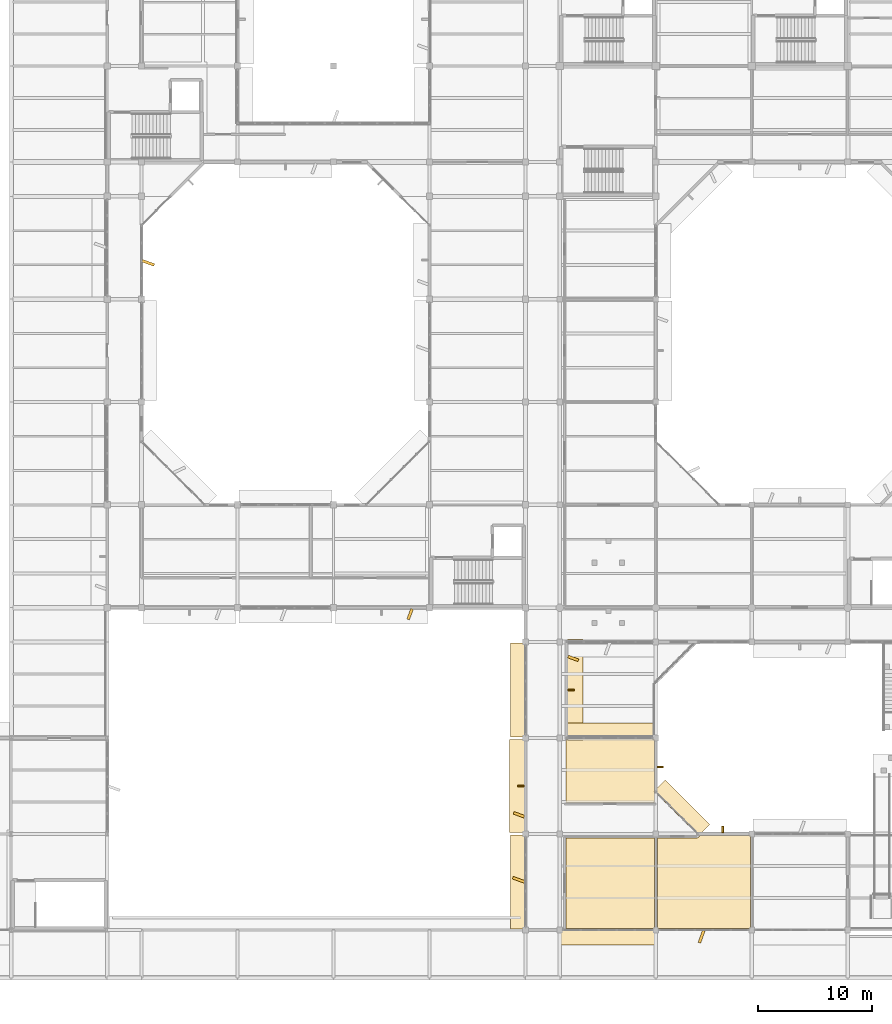
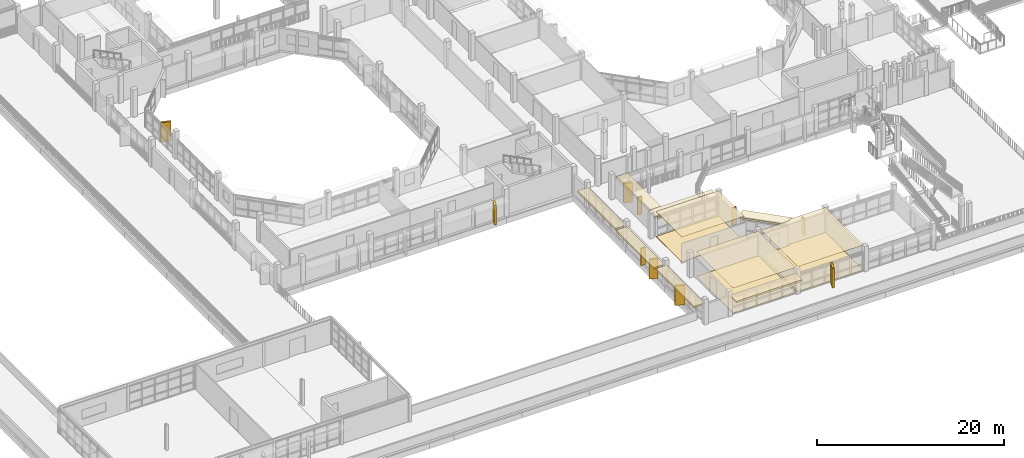
# One storey, part 69 of 92: 19 coverings, 4 shading devices.
"""IFC4 building model written with IfcOpenShell, lengths in metres."""

from ifc_helpers import new_model, si_unit, direction, frame, origin, origin_2d, place, context, subcontext, project, spatial, polyline, rectangle, outline, extrude, material, layer, layer_set, type_object, element, save


model = new_model("IFC4")

# Units and contexts
model_context = context("Model", 3, precision=1e-05, world=origin(), true_north=direction((0.0, 1.0)))
body_context = subcontext(model_context, "Body", "Model", "MODEL_VIEW")
ifc_project = project(units=[si_unit("LENGTHUNIT", "METRE"), si_unit("AREAUNIT", "SQUARE_METRE"), si_unit("VOLUMEUNIT", "CUBIC_METRE"), si_unit("PLANEANGLEUNIT", "RADIAN"), si_unit("MASSUNIT", "GRAM", prefix="KILO")], contexts=[model_context])

# Site, building, storey
site_placement = place(None, origin())
site = spatial("IfcSite", under=ifc_project, at=site_placement, CompositionType="ELEMENT")
building_placement = place(site_placement, origin())
building = spatial("IfcBuilding", under=site, at=building_placement, Name="Vanh Quang Courtyard School", CompositionType="ELEMENT")
storey_placement = place(building_placement, frame((0.0, 0.0, 7.800048828125)))
storey = spatial("IfcBuildingStorey", under=building, at=storey_placement, Name="L02", CompositionType="ELEMENT", Elevation=7.800048828125)

# Coverings
ifc_material_1 = material(Name="Perforated mineral-fibre acoustic ceiling board")
ifc_layer_1 = layer(ifc_material_1, 0.02490234375)
ifc_layer_set_1 = layer_set([ifc_layer_1], Name="Perforated mineral-fibre acoustic ceiling board")
covering_type_1 = type_object("IfcCoveringType", Name="COV-CEIL-ACOUSTIC", PredefinedType="CEILING", material=ifc_layer_set_1)
covering_1_placement = place(storey_placement, frame((0.0, 0.0, 3.2548828125)))
element("IfcCovering", 1, at=covering_1_placement, inside=storey, type_object=covering_type_1, Name="Covering CV-CL1 (L02)", PredefinedType="CEILING", context=body_context, shape_type="SweptSolid", body=[
    extrude(outline(polyline([(77.9599609375, 4.330078125), (77.958984375, 4.330078125), (77.9580078125, 4.330078125), (77.95703125, 4.330322265625), (77.956298828125, 4.330810546875), (77.955322265625, 4.331298828125), (77.954345703125, 4.331787109375), (77.95361328125, 4.332275390625), (77.952880859375, 4.3330078125), (77.952392578125, 4.333740234375), (77.95166015625, 4.33447265625), (77.951171875, 4.335205078125), (77.95068359375, 4.336181640625), (77.950439453125, 4.337158203125), (77.9501953125, 4.337890625), (77.949951171875, 4.339111328125), (77.949951171875, 4.340087890625), (77.949951171875, 12.239990234375), (77.949951171875, 12.240966796875), (77.9501953125, 12.241943359375), (77.950439453125, 12.242919921875), (77.95068359375, 12.243896484375), (77.951171875, 12.24462890625), (77.95166015625, 12.24560546875), (77.952392578125, 12.246337890625), (77.952880859375, 12.2470703125), (77.95361328125, 12.247802734375), (77.954345703125, 12.248291015625), (77.955322265625, 12.248779296875), (77.956298828125, 12.249267578125), (77.95703125, 12.24951171875), (77.9580078125, 12.249755859375), (77.958984375, 12.25), (77.9599609375, 12.25), (85.659912109375, 12.25), (85.660888671875, 12.25), (85.662109375, 12.249755859375), (85.662841796875, 12.24951171875), (85.663818359375, 12.249267578125), (85.664794921875, 12.248779296875), (85.66552734375, 12.248291015625), (85.666259765625, 12.247802734375), (85.6669921875, 12.2470703125), (85.667724609375, 12.246337890625), (85.668212890625, 12.24560546875), (85.668701171875, 12.24462890625), (85.669189453125, 12.243896484375), (85.669677734375, 12.242919921875), (85.669921875, 12.241943359375), (85.669921875, 12.240966796875), (85.669921875, 12.239990234375), (85.669921875, 4.340087890625), (85.669921875, 4.339111328125), (85.669921875, 4.337890625), (85.669677734375, 4.337158203125), (85.669189453125, 4.336181640625), (85.668701171875, 4.335205078125), (85.668212890625, 4.33447265625), (85.667724609375, 4.333740234375), (85.6669921875, 4.3330078125), (85.666259765625, 4.332275390625), (85.66552734375, 4.331787109375), (85.664794921875, 4.331298828125), (85.663818359375, 4.330810546875), (85.662841796875, 4.330322265625), (85.662109375, 4.330078125), (85.660888671875, 4.330078125), (85.659912109375, 4.330078125), (77.9599609375, 4.330078125)])), origin(), (0.0, 0.0, 1.0), 0.025146484375),
])
covering_2_placement = place(storey_placement, frame((0.0, 0.0, 3.2548828125)))
element("IfcCovering", 2, at=covering_2_placement, inside=storey, type_object=covering_type_1, Name="Covering CV-CL1 (L02)", PredefinedType="CEILING", context=body_context, shape_type="SweptSolid", body=[
    extrude(outline(polyline([(77.9599609375, 15.35009765625), (77.958984375, 15.35009765625), (77.9580078125, 15.35009765625), (77.95703125, 15.350341796875), (77.956298828125, 15.350830078125), (77.955322265625, 15.351318359375), (77.954345703125, 15.351806640625), (77.95361328125, 15.352294921875), (77.952880859375, 15.352783203125), (77.952392578125, 15.353759765625), (77.95166015625, 15.3544921875), (77.951171875, 15.355224609375), (77.95068359375, 15.356201171875), (77.950439453125, 15.357177734375), (77.9501953125, 15.35791015625), (77.949951171875, 15.35888671875), (77.949951171875, 15.360107421875), (77.949951171875, 20.860107421875), (77.949951171875, 20.861083984375), (77.9501953125, 20.862060546875), (77.950439453125, 20.86279296875), (77.95068359375, 20.86376953125), (77.951171875, 20.86474609375), (77.95166015625, 20.865478515625), (77.952392578125, 20.8662109375), (77.952880859375, 20.8671875), (77.95361328125, 20.86767578125), (77.954345703125, 20.868408203125), (77.955322265625, 20.868896484375), (77.956298828125, 20.869140625), (77.95703125, 20.86962890625), (77.9580078125, 20.869873046875), (77.958984375, 20.8701171875), (77.9599609375, 20.8701171875), (85.659912109375, 20.8701171875), (85.660888671875, 20.8701171875), (85.662109375, 20.869873046875), (85.662841796875, 20.86962890625), (85.663818359375, 20.869140625), (85.664794921875, 20.868896484375), (85.66552734375, 20.868408203125), (85.666259765625, 20.86767578125), (85.6669921875, 20.8671875), (85.667724609375, 20.8662109375), (85.668212890625, 20.865478515625), (85.668701171875, 20.86474609375), (85.669189453125, 20.86376953125), (85.669677734375, 20.86279296875), (85.669921875, 20.862060546875), (85.669921875, 20.861083984375), (85.669921875, 20.860107421875), (85.669921875, 15.360107421875), (85.669921875, 15.35888671875), (85.669921875, 15.35791015625), (85.669677734375, 15.357177734375), (85.669189453125, 15.356201171875), (85.668701171875, 15.355224609375), (85.668212890625, 15.3544921875), (85.667724609375, 15.353759765625), (85.6669921875, 15.352783203125), (85.666259765625, 15.352294921875), (85.66552734375, 15.351806640625), (85.664794921875, 15.351318359375), (85.663818359375, 15.350830078125), (85.662841796875, 15.350341796875), (85.662109375, 15.35009765625), (85.660888671875, 15.35009765625), (85.659912109375, 15.35009765625), (77.9599609375, 15.35009765625)])), origin(), (0.0, 0.0, 1.0), 0.025146484375),
])
covering_3_placement = place(storey_placement, frame((0.0, 0.0, 3.2548828125)))
element("IfcCovering", 3, at=covering_3_placement, inside=storey, type_object=covering_type_1, Name="Covering CV-CL1 (L02)", PredefinedType="CEILING", context=body_context, shape_type="SweptSolid", body=[
    extrude(outline(polyline([(85.9599609375, 4.330078125), (85.958984375, 4.330078125), (85.9580078125, 4.330078125), (85.95703125, 4.330322265625), (85.956298828125, 4.330810546875), (85.955322265625, 4.331298828125), (85.954345703125, 4.331787109375), (85.95361328125, 4.332275390625), (85.952880859375, 4.3330078125), (85.952392578125, 4.333740234375), (85.95166015625, 4.33447265625), (85.951171875, 4.335205078125), (85.95068359375, 4.336181640625), (85.950439453125, 4.337158203125), (85.9501953125, 4.337890625), (85.949951171875, 4.339111328125), (85.949951171875, 4.340087890625), (85.949951171875, 12.239990234375), (85.949951171875, 12.240966796875), (85.9501953125, 12.241943359375), (85.950439453125, 12.242919921875), (85.95068359375, 12.243896484375), (85.951171875, 12.24462890625), (85.95166015625, 12.24560546875), (85.952392578125, 12.246337890625), (85.952880859375, 12.2470703125), (85.95361328125, 12.247802734375), (85.954345703125, 12.248291015625), (85.955322265625, 12.248779296875), (85.956298828125, 12.249267578125), (85.95703125, 12.24951171875), (85.9580078125, 12.249755859375), (85.958984375, 12.25), (85.9599609375, 12.25), (89.37939453125, 12.2509765625), (89.462646484375, 12.269775390625), (89.547119140625, 12.3203125), (89.6025390625, 12.384521484375), (89.637939453125, 12.464111328125), (89.63818359375, 12.46484375), (89.638916015625, 12.4658203125), (89.639404296875, 12.466552734375), (89.639892578125, 12.46728515625), (89.640869140625, 12.4677734375), (89.6416015625, 12.468505859375), (89.642333984375, 12.468994140625), (89.643310546875, 12.46923828125), (89.644287109375, 12.469482421875), (89.64501953125, 12.4697265625), (89.64599609375, 12.469970703125), (89.64697265625, 12.469970703125), (94.06005859375, 12.469970703125), (94.06103515625, 12.469970703125), (94.06201171875, 12.4697265625), (94.06298828125, 12.469482421875), (94.063720703125, 12.46923828125), (94.064697265625, 12.46875), (94.065673828125, 12.46826171875), (94.06640625, 12.4677734375), (94.067138671875, 12.467041015625), (94.067626953125, 12.46630859375), (94.068359375, 12.465576171875), (94.06884765625, 12.464599609375), (94.069091796875, 12.4638671875), (94.069580078125, 12.462890625), (94.06982421875, 12.4619140625), (94.070068359375, 12.4609375), (94.070068359375, 12.4599609375), (94.070068359375, 4.340087890625), (94.070068359375, 4.339111328125), (94.06982421875, 4.337890625), (94.069580078125, 4.337158203125), (94.069091796875, 4.336181640625), (94.06884765625, 4.335205078125), (94.068359375, 4.33447265625), (94.067626953125, 4.333740234375), (94.067138671875, 4.3330078125), (94.06640625, 4.332275390625), (94.065673828125, 4.331787109375), (94.064697265625, 4.331298828125), (94.063720703125, 4.330810546875), (94.06298828125, 4.330322265625), (94.06201171875, 4.330078125), (94.06103515625, 4.330078125), (94.06005859375, 4.330078125), (85.9599609375, 4.330078125)])), origin(), (0.0, 0.0, 1.0), 0.025146484375),
])
ifc_material_2 = material(Name="Polished cementitious terrazzo tile", Category="concrete")
ifc_layer_2 = layer(ifc_material_2, 0.02001953125)
ifc_layer_set_2 = layer_set([ifc_layer_2], Name="Polished cementitious terrazzo tile")
covering_type_2 = type_object("IfcCoveringType", Name="COV-FLR-TERRAZZO", PredefinedType="FLOORING", material=ifc_layer_set_2)
covering_4_placement = place(storey_placement, origin())
element("IfcCovering", 4, at=covering_4_placement, inside=storey, type_object=covering_type_2, Name="Covering CV-FL1 (L02)", PredefinedType="FLOORING", context=body_context, shape_type="SweptSolid", body=[
    extrude(outline(polyline([(77.9599609375, 4.330078125), (77.958984375, 4.330078125), (77.9580078125, 4.330078125), (77.95703125, 4.330322265625), (77.956298828125, 4.330810546875), (77.955322265625, 4.331298828125), (77.954345703125, 4.331787109375), (77.95361328125, 4.332275390625), (77.952880859375, 4.3330078125), (77.952392578125, 4.333740234375), (77.95166015625, 4.33447265625), (77.951171875, 4.335205078125), (77.95068359375, 4.336181640625), (77.950439453125, 4.337158203125), (77.9501953125, 4.337890625), (77.949951171875, 4.339111328125), (77.949951171875, 4.340087890625), (77.949951171875, 12.239990234375), (77.949951171875, 12.240966796875), (77.9501953125, 12.241943359375), (77.950439453125, 12.242919921875), (77.95068359375, 12.243896484375), (77.951171875, 12.24462890625), (77.95166015625, 12.24560546875), (77.952392578125, 12.246337890625), (77.952880859375, 12.2470703125), (77.95361328125, 12.247802734375), (77.954345703125, 12.248291015625), (77.955322265625, 12.248779296875), (77.956298828125, 12.249267578125), (77.95703125, 12.24951171875), (77.9580078125, 12.249755859375), (77.958984375, 12.25), (77.9599609375, 12.25), (85.659912109375, 12.25), (85.660888671875, 12.25), (85.662109375, 12.249755859375), (85.662841796875, 12.24951171875), (85.663818359375, 12.249267578125), (85.664794921875, 12.248779296875), (85.66552734375, 12.248291015625), (85.666259765625, 12.247802734375), (85.6669921875, 12.2470703125), (85.667724609375, 12.246337890625), (85.668212890625, 12.24560546875), (85.668701171875, 12.24462890625), (85.669189453125, 12.243896484375), (85.669677734375, 12.242919921875), (85.669921875, 12.241943359375), (85.669921875, 12.240966796875), (85.669921875, 12.239990234375), (85.669921875, 4.340087890625), (85.669921875, 4.339111328125), (85.669921875, 4.337890625), (85.669677734375, 4.337158203125), (85.669189453125, 4.336181640625), (85.668701171875, 4.335205078125), (85.668212890625, 4.33447265625), (85.667724609375, 4.333740234375), (85.6669921875, 4.3330078125), (85.666259765625, 4.332275390625), (85.66552734375, 4.331787109375), (85.664794921875, 4.331298828125), (85.663818359375, 4.330810546875), (85.662841796875, 4.330322265625), (85.662109375, 4.330078125), (85.660888671875, 4.330078125), (85.659912109375, 4.330078125), (77.9599609375, 4.330078125)])), origin(), (0.0, 0.0, 1.0), 0.02001953125),
])
covering_5_placement = place(storey_placement, origin())
element("IfcCovering", 5, at=covering_5_placement, inside=storey, type_object=covering_type_2, Name="Covering CV-FL1 (L02)", PredefinedType="FLOORING", context=body_context, shape_type="SweptSolid", body=[
    extrude(outline(polyline([(77.9599609375, 15.35009765625), (77.958984375, 15.35009765625), (77.9580078125, 15.35009765625), (77.95703125, 15.350341796875), (77.956298828125, 15.350830078125), (77.955322265625, 15.351318359375), (77.954345703125, 15.351806640625), (77.95361328125, 15.352294921875), (77.952880859375, 15.352783203125), (77.952392578125, 15.353759765625), (77.95166015625, 15.3544921875), (77.951171875, 15.355224609375), (77.95068359375, 15.356201171875), (77.950439453125, 15.357177734375), (77.9501953125, 15.35791015625), (77.949951171875, 15.35888671875), (77.949951171875, 15.360107421875), (77.949951171875, 20.860107421875), (77.949951171875, 20.861083984375), (77.9501953125, 20.862060546875), (77.950439453125, 20.86279296875), (77.95068359375, 20.86376953125), (77.951171875, 20.86474609375), (77.95166015625, 20.865478515625), (77.952392578125, 20.8662109375), (77.952880859375, 20.8671875), (77.95361328125, 20.86767578125), (77.954345703125, 20.868408203125), (77.955322265625, 20.868896484375), (77.956298828125, 20.869140625), (77.95703125, 20.86962890625), (77.9580078125, 20.869873046875), (77.958984375, 20.8701171875), (77.9599609375, 20.8701171875), (85.659912109375, 20.8701171875), (85.660888671875, 20.8701171875), (85.662109375, 20.869873046875), (85.662841796875, 20.86962890625), (85.663818359375, 20.869140625), (85.664794921875, 20.868896484375), (85.66552734375, 20.868408203125), (85.666259765625, 20.86767578125), (85.6669921875, 20.8671875), (85.667724609375, 20.8662109375), (85.668212890625, 20.865478515625), (85.668701171875, 20.86474609375), (85.669189453125, 20.86376953125), (85.669677734375, 20.86279296875), (85.669921875, 20.862060546875), (85.669921875, 20.861083984375), (85.669921875, 20.860107421875), (85.669921875, 15.360107421875), (85.669921875, 15.35888671875), (85.669921875, 15.35791015625), (85.669677734375, 15.357177734375), (85.669189453125, 15.356201171875), (85.668701171875, 15.355224609375), (85.668212890625, 15.3544921875), (85.667724609375, 15.353759765625), (85.6669921875, 15.352783203125), (85.666259765625, 15.352294921875), (85.66552734375, 15.351806640625), (85.664794921875, 15.351318359375), (85.663818359375, 15.350830078125), (85.662841796875, 15.350341796875), (85.662109375, 15.35009765625), (85.660888671875, 15.35009765625), (85.659912109375, 15.35009765625), (77.9599609375, 15.35009765625)])), origin(), (0.0, 0.0, 1.0), 0.02001953125),
])
covering_6_placement = place(storey_placement, origin())
element("IfcCovering", 6, at=covering_6_placement, inside=storey, type_object=covering_type_2, Name="Covering CV-FL1 (L02)", PredefinedType="FLOORING", context=body_context, shape_type="SweptSolid", body=[
    extrude(outline(polyline([(85.9599609375, 4.330078125), (85.958984375, 4.330078125), (85.9580078125, 4.330078125), (85.95703125, 4.330322265625), (85.956298828125, 4.330810546875), (85.955322265625, 4.331298828125), (85.954345703125, 4.331787109375), (85.95361328125, 4.332275390625), (85.952880859375, 4.3330078125), (85.952392578125, 4.333740234375), (85.95166015625, 4.33447265625), (85.951171875, 4.335205078125), (85.95068359375, 4.336181640625), (85.950439453125, 4.337158203125), (85.9501953125, 4.337890625), (85.949951171875, 4.339111328125), (85.949951171875, 4.340087890625), (85.949951171875, 12.239990234375), (85.949951171875, 12.240966796875), (85.9501953125, 12.241943359375), (85.950439453125, 12.242919921875), (85.95068359375, 12.243896484375), (85.951171875, 12.24462890625), (85.95166015625, 12.24560546875), (85.952392578125, 12.246337890625), (85.952880859375, 12.2470703125), (85.95361328125, 12.247802734375), (85.954345703125, 12.248291015625), (85.955322265625, 12.248779296875), (85.956298828125, 12.249267578125), (85.95703125, 12.24951171875), (85.9580078125, 12.249755859375), (85.958984375, 12.25), (85.9599609375, 12.25), (89.37939453125, 12.2509765625), (89.462646484375, 12.269775390625), (89.547119140625, 12.3203125), (89.6025390625, 12.384521484375), (89.637939453125, 12.464111328125), (89.63818359375, 12.46484375), (89.638916015625, 12.4658203125), (89.639404296875, 12.466552734375), (89.639892578125, 12.46728515625), (89.640869140625, 12.4677734375), (89.6416015625, 12.468505859375), (89.642333984375, 12.468994140625), (89.643310546875, 12.46923828125), (89.644287109375, 12.469482421875), (89.64501953125, 12.4697265625), (89.64599609375, 12.469970703125), (89.64697265625, 12.469970703125), (94.06005859375, 12.469970703125), (94.06103515625, 12.469970703125), (94.06201171875, 12.4697265625), (94.06298828125, 12.469482421875), (94.063720703125, 12.46923828125), (94.064697265625, 12.46875), (94.065673828125, 12.46826171875), (94.06640625, 12.4677734375), (94.067138671875, 12.467041015625), (94.067626953125, 12.46630859375), (94.068359375, 12.465576171875), (94.06884765625, 12.464599609375), (94.069091796875, 12.4638671875), (94.069580078125, 12.462890625), (94.06982421875, 12.4619140625), (94.070068359375, 12.4609375), (94.070068359375, 12.4599609375), (94.070068359375, 4.340087890625), (94.070068359375, 4.339111328125), (94.06982421875, 4.337890625), (94.069580078125, 4.337158203125), (94.069091796875, 4.336181640625), (94.06884765625, 4.335205078125), (94.068359375, 4.33447265625), (94.067626953125, 4.333740234375), (94.067138671875, 4.3330078125), (94.06640625, 4.332275390625), (94.065673828125, 4.331787109375), (94.064697265625, 4.331298828125), (94.063720703125, 4.330810546875), (94.06298828125, 4.330322265625), (94.06201171875, 4.330078125), (94.06103515625, 4.330078125), (94.06005859375, 4.330078125), (85.9599609375, 4.330078125)])), origin(), (0.0, 0.0, 1.0), 0.02001953125),
])
ifc_material_3 = material(Name="Board-marked precast concrete C40/50", Category="concrete")
ifc_layer_3 = layer(ifc_material_3, 0.239990234375)
ifc_layer_set_3 = layer_set([ifc_layer_3], Name="Board-marked precast concrete C40/50")
covering_type_3 = type_object("IfcCoveringType", Name="COV-HOOD-CONC", PredefinedType="CLADDING", material=ifc_layer_set_3)
covering_7_placement = place(storey_placement, frame((78.739990234375, 25.199951171875, 2.33984375), z_axis=(0.0, 0.0, 1.0), x_axis=(0.0, -1.0, 0.0)))
element("IfcCovering", 7, at=covering_7_placement, inside=storey, type_object=covering_type_3, Name="Covering CH-01 (L02)", PredefinedType="CLADDING", context=body_context, shape_type="SweptSolid", body=[
    extrude(rectangle(XDim=8.840087890625, YDim=1.35009765625, at=origin_2d()), origin(), (0.0, 0.0, 1.0), 0.239990234375),
])
covering_8_placement = place(storey_placement, frame((78.570068359375, 27.967529296875, 0.0), z_axis=(0.0, 0.0, 1.0), x_axis=(0.938009980858, -0.346608245445, 0.0)))
element("IfcCovering", 8, at=covering_8_placement, inside=storey, type_object=covering_type_3, Name="Covering CH-01 (L02)", PredefinedType="CLADDING", context=body_context, shape_type="SweptSolid", body=[
    extrude(rectangle(XDim=0.980712890625, YDim=0.239990234375, at=origin_2d()), origin(), (0.0, 0.0, 1.0), 2.56005859375),
])
covering_9_placement = place(storey_placement, frame((81.77099609375, 21.6201171875, 2.33984375), z_axis=(0.0, 0.0, 1.0), x_axis=(1.0, 0.0, 0.0)))
element("IfcCovering", 9, at=covering_9_placement, inside=storey, type_object=covering_type_3, Name="Covering CH-01 (L02)", PredefinedType="CLADDING", context=body_context, shape_type="SweptSolid", body=[
    extrude(rectangle(XDim=7.842041015625, YDim=1.39990234375, at=origin_2d()), origin(), (0.0, 0.0, 1.0), 0.239990234375),
])
covering_10_placement = place(storey_placement, frame((88.08642578125, 14.886474609375, 2.33984375), z_axis=(0.0, 0.0, 1.0), x_axis=(0.707106781187, -0.707106781187, 0.0)))
element("IfcCovering", 10, at=covering_10_placement, inside=storey, type_object=covering_type_3, Name="Covering CH-01 (L02)", PredefinedType="CLADDING", context=body_context, shape_type="SweptSolid", body=[
    extrude(rectangle(XDim=5.52685546875, YDim=1.39990234375, at=origin_2d()), origin(), (0.0, 0.0, 1.0), 0.239990234375),
])
covering_11_placement = place(storey_placement, frame((89.81005859375, 3.614990234375, 0.0), z_axis=(0.0, 0.0, 1.0), x_axis=(-0.340379550213, -0.94028812701, 0.0)))
element("IfcCovering", 11, at=covering_11_placement, inside=storey, type_object=covering_type_3, Name="Covering CH-01 (L02)", PredefinedType="CLADDING", context=body_context, shape_type="SweptSolid", body=[
    extrude(rectangle(XDim=1.11669921875, YDim=0.239990234375, at=origin_2d()), origin(), (0.0, 0.0, 1.0), 2.56005859375),
])
for number, where, z_axis, x_axis, name in (
    (12, (81.60009765625, 3.580078125, 2.33984375), (0.0, 0.0, 1.0), (-1.0, 0.0, 0.0), "Covering CH-01 (L02)"),
    (13, (73.780029296875, 8.39990234375, 2.33984375), (0.0, 0.0, 1.0), (0.0, 1.0, 0.0), "Covering CH-01 (L02)"),
):
    element("IfcCovering", number, at=place(storey_placement, frame(where, z_axis=z_axis, x_axis=x_axis)), inside=storey, type_object=covering_type_3, Name=name, PredefinedType="CLADDING", context=body_context, shape_type="SweptSolid", body=[
        extrude(rectangle(XDim=8.18408203125, YDim=1.39990234375, at=origin_2d()), origin(), (0.0, 0.0, 1.0), 0.239990234375),
    ])
covering_12_placement = place(storey_placement, frame((73.81494140625, 8.590087890625, 0.0), z_axis=(0.0, 0.0, 1.0), x_axis=(-0.94028812701, 0.340379550213, 0.0)))
element("IfcCovering", 14, at=covering_12_placement, inside=storey, type_object=covering_type_3, Name="Covering CH-01 (L02)", PredefinedType="CLADDING", context=body_context, shape_type="SweptSolid", body=[
    extrude(rectangle(XDim=1.11669921875, YDim=0.239990234375, at=origin_2d()), origin(), (0.0, 0.0, 1.0), 2.56005859375),
])
covering_13_placement = place(storey_placement, frame((73.659912109375, 16.800048828125, 2.33984375), z_axis=(0.0, 0.0, 1.0), x_axis=(0.0, 1.0, 0.0)))
element("IfcCovering", 15, at=covering_13_placement, inside=storey, type_object=covering_type_3, Name="Covering CH-01 (L02)", PredefinedType="CLADDING", context=body_context, shape_type="SweptSolid", body=[
    extrude(rectangle(XDim=8.10400390625, YDim=1.35009765625, at=origin_2d()), origin(), (0.0, 0.0, 1.0), 0.239990234375),
])
covering_14_placement = place(storey_placement, frame((73.830078125, 14.28271484375, 0.0), z_axis=(0.0, 0.0, 1.0), x_axis=(-0.938009980858, 0.346608245445, 0.0)))
element("IfcCovering", 16, at=covering_14_placement, inside=storey, type_object=covering_type_3, Name="Covering CH-01 (L02)", PredefinedType="CLADDING", context=body_context, shape_type="SweptSolid", body=[
    extrude(rectangle(XDim=0.980712890625, YDim=0.239990234375, at=origin_2d()), origin(), (0.0, 0.0, 1.0), 2.56005859375),
])
covering_15_placement = place(storey_placement, frame((73.780029296875, 25.199951171875, 2.33984375), z_axis=(0.0, 0.0, 1.0), x_axis=(0.0, 1.0, 0.0)))
element("IfcCovering", 17, at=covering_15_placement, inside=storey, type_object=covering_type_3, Name="Covering CH-01 (L02)", PredefinedType="CLADDING", context=body_context, shape_type="SweptSolid", body=[
    extrude(rectangle(XDim=8.18408203125, YDim=1.39990234375, at=origin_2d()), origin(), (0.0, 0.0, 1.0), 0.239990234375),
])
covering_16_placement = place(storey_placement, frame((64.30029296875, 31.830078125, 0.0), z_axis=(0.0, 0.0, 1.0), x_axis=(-0.346608245445, -0.938009980858, 0.0)))
element("IfcCovering", 18, at=covering_16_placement, inside=storey, type_object=covering_type_3, Name="Covering CH-01 (L02)", PredefinedType="CLADDING", context=body_context, shape_type="SweptSolid", body=[
    extrude(rectangle(XDim=0.980712890625, YDim=0.239990234375, at=origin_2d()), origin(), (0.0, 0.0, 1.0), 2.56005859375),
])
covering_17_placement = place(storey_placement, frame((41.385009765625, 62.57958984375, 0.0), z_axis=(0.0, 0.0, 1.0), x_axis=(0.94028812701, -0.340379550213, 0.0)))
element("IfcCovering", 19, at=covering_17_placement, inside=storey, type_object=covering_type_3, Name="Covering CH-01 (L02)", PredefinedType="CLADDING", context=body_context, shape_type="SweptSolid", body=[
    extrude(rectangle(XDim=1.11669921875, YDim=0.239990234375, at=origin_2d()), origin(), (0.0, 0.0, 1.0), 2.56005859375),
])

# Shading devices
shading_device_type = type_object("IfcShadingDeviceType", Name="SHD-FIN-CONCRETE", PredefinedType="USERDEFINED", material=ifc_material_3)
for number, where, z_axis, x_axis, name in (
    (20, (78.39501953125, 25.199951171875, 0.14990234375), (0.0, 0.0, 1.0), (0.0, -1.0, 0.0), "Solar Shading SH-02 (L02)"),
    (21, (86.195068359375, 18.464111328125, 0.14990234375), (0.0, 0.0, 1.0), (0.0, -1.0, 0.0), "Solar Shading SH-02 (L02)"),
    (22, (91.6640625, 12.9951171875, 0.14990234375), (0.0, 0.0, 1.0), (1.0, 0.0, 0.0), "Solar Shading SH-02 (L02)"),
    (23, (74.0048828125, 16.800048828125, 0.14990234375), (0.0, 0.0, 1.0), (0.0, 1.0, 0.0), "Solar Shading SH-02 (L02)"),
):
    element("IfcShadingDevice", number, at=place(storey_placement, frame(where, z_axis=z_axis, x_axis=x_axis)), inside=storey, type_object=shading_device_type, Name=name, ObjectType="Solar Shading SH-02 (L02)", PredefinedType="USERDEFINED", context=body_context, shape_type="SweptSolid", body=[
        extrude(rectangle(XDim=0.139892578125, YDim=0.550048828125, at=origin_2d()), origin(), (0.0, 0.0, 1.0), 2.280029296875),
    ])

save(model, "model.ifc")
